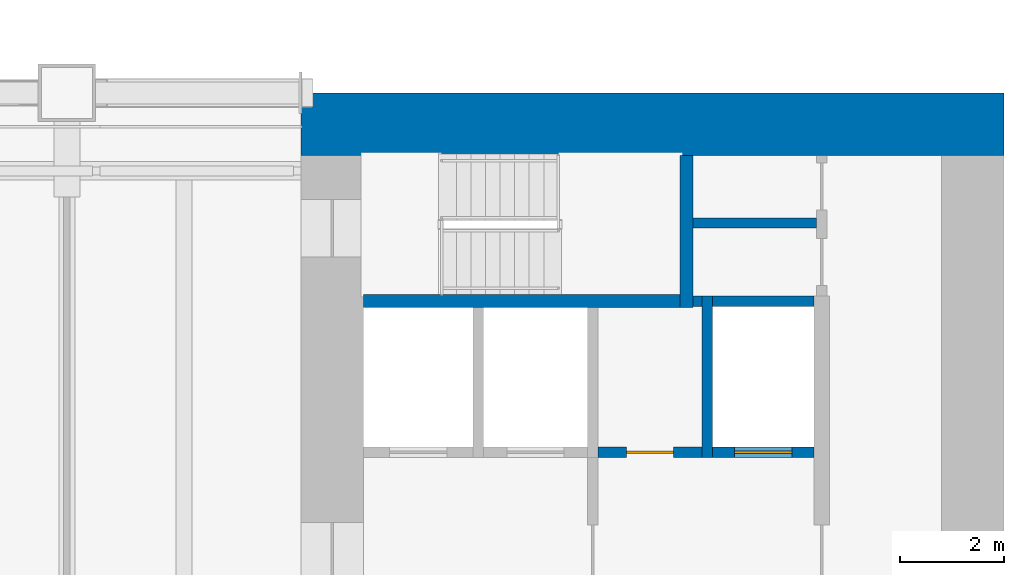
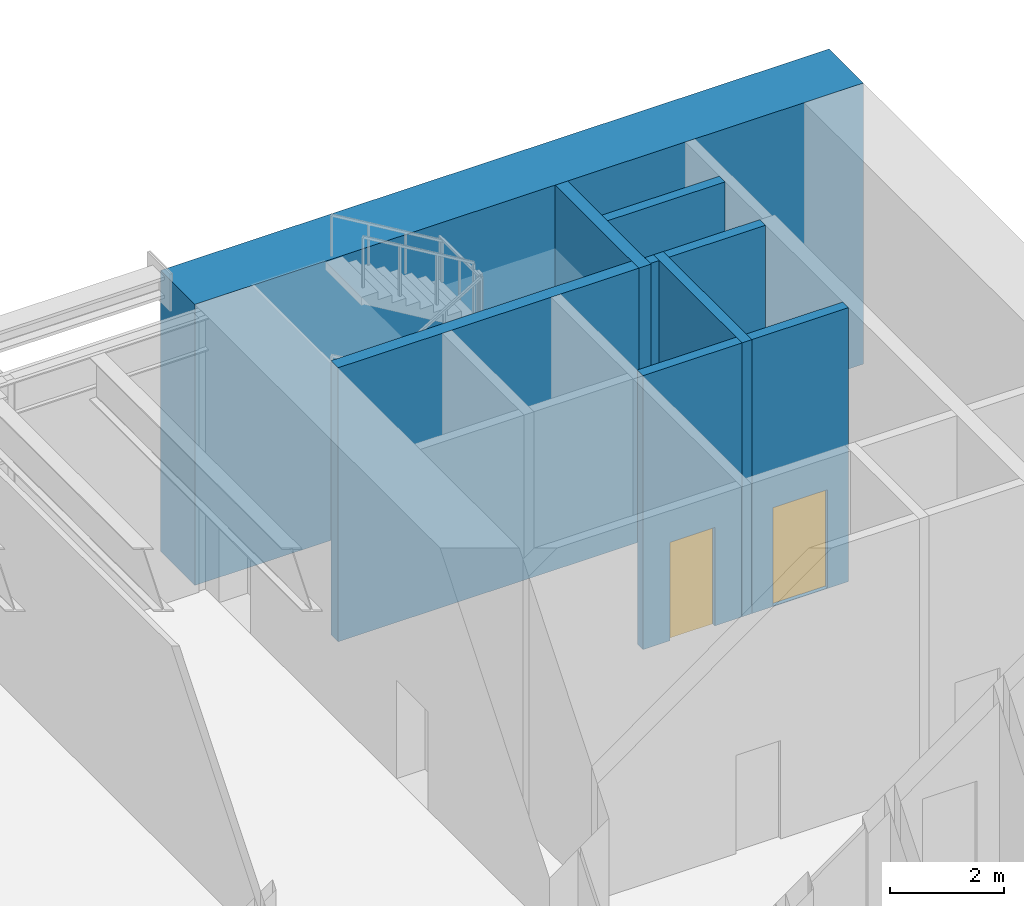
# One storey, part 9 of 19: 9 walls, 2 doors, 2 openings.
"""IFC4 building model written with IfcOpenShell, lengths in metres."""

from ifc_helpers import new_model, si_unit, direction, frame, frame_2d, origin, place, context, subcontext, project, spatial, rectangle, extrude, material, layer, layer_set, type_object, element, fill, save


model = new_model("IFC4")

# Units and contexts
model_context = context("Model", 3, precision=1e-05, world=origin(), true_north=direction((0.0, 1.0)))
body_context = subcontext(model_context, "Body", "Model", "MODEL_VIEW")
ifc_project = project(units=[si_unit("LENGTHUNIT", "METRE"), si_unit("AREAUNIT", "SQUARE_METRE"), si_unit("VOLUMEUNIT", "CUBIC_METRE"), si_unit("PLANEANGLEUNIT", "RADIAN"), si_unit("MASSUNIT", "GRAM", prefix="KILO")], contexts=[model_context])

# Site, building, storey
site_placement = place(None, origin())
site = spatial("IfcSite", under=ifc_project, at=site_placement, CompositionType="ELEMENT")
building_placement = place(site_placement, origin())
building = spatial("IfcBuilding", under=site, at=building_placement, Name="Sennacour Bend Tower", CompositionType="ELEMENT")
storey_placement = place(building_placement, frame((0.0, 0.0, 77.0)))
storey = spatial("IfcBuildingStorey", under=building, at=storey_placement, Name="L17", CompositionType="ELEMENT", Elevation=77.0)

# Wall
ifc_material_1 = material(Name="Concrete C80/95", Category="concrete")
ifc_layer_1 = layer(ifc_material_1, 1.199951171875, Name="Concrete C80/95", Category="concrete")
ifc_layer_set_1 = layer_set([ifc_layer_1], Name="Concrete C80/95")
wall_type_1 = type_object("IfcWallType", Name="Core wall 1200 C80/95", PredefinedType="SHEAR", material=ifc_layer_set_1)
wall_1_placement = place(storey_placement, frame((54.0, 21.89990234375, -0.14990234375), z_axis=(0.0, 0.0, 1.0), x_axis=(1.0, 0.0, 0.0)))
element("IfcWall", 1, at=wall_1_placement, inside=storey, type_object=wall_type_1, Name="Core A wall L17 N", PredefinedType="SHEAR", context=body_context, shape_type="SweptSolid", body=[
    extrude(rectangle(XDim=13.5, YDim=1.199951171875, at=frame_2d((6.75, 0.0))), origin(), (0.0, 0.0, 1.0), 6.0),
])

# Wall, opening, door
ifc_material_2 = material(Name="Fire-rated plasterboard partition on steel studs", Category="steel")
ifc_layer_2 = layer(ifc_material_2, 0.199951171875, Name="Fire-rated plasterboard partition on steel studs", Category="steel")
ifc_layer_set_2 = layer_set([ifc_layer_2], Name="Fire-rated plasterboard partition on steel studs")
wall_type_2 = type_object("IfcWallType", Name="Rated partition 200", PredefinedType="PARTITIONING", material=ifc_layer_set_2)
wall_2_placement = place(storey_placement, frame((59.699951171875, 15.60009765625, 0.0), z_axis=(0.0, 0.0, 1.0), x_axis=(1.0, 0.0, 0.0)))
wall_2 = element("IfcWall", 2, at=wall_2_placement, inside=storey, type_object=wall_type_2, Name="P-L17-W057", PredefinedType="PARTITIONING", context=body_context, shape_type="SweptSolid", body=[
    extrude(rectangle(XDim=2.0, YDim=0.199951171875, at=frame_2d((1.0, 0.0))), origin(), (0.0, 0.0, 1.0), 5.85009765625),
])
opening_1_placement = place(wall_2_placement, frame((0.550048828125, 0.0, 0.0)))
opening_1 = element("IfcOpeningElement", 3, at=opening_1_placement, cuts=wall_2, Name="Opening SV", PredefinedType="OPENING", context=body_context, shape_type="SweptSolid", body=[
    extrude(rectangle(XDim=0.89990234375, YDim=2.10009765625, at=frame_2d((0.449951171875, 1.050048828125))), frame((0.0, 0.10986328125, 0.0), z_axis=(0.0, -1.0, 0.0), x_axis=(1.0, 0.0, 0.0)), (0.0, 0.0, 1.0), 0.219970703125),
])
ifc_material_3 = material(Name="Painted steel", Category="steel")
door_type_1 = type_object("IfcDoorType", Name="DR-SERVICE-900", OperationType="NOTDEFINED", PredefinedType="DOOR", material=ifc_material_3)
door_1_placement = place(opening_1_placement, origin())
door_1 = element("IfcDoor", 4, at=door_1_placement, inside=storey, type_object=door_type_1, Name="Door", OperationType="SINGLE_SWING_RIGHT", OverallHeight=2.10009765625, OverallWidth=0.89990234375, PredefinedType="DOOR", context=body_context, shape_type="SweptSolid", body=[
    extrude(rectangle(XDim=0.89990234375, YDim=2.10009765625, at=frame_2d((0.449951171875, 1.050048828125))), frame((0.0, 0.02490234375, 0.0), z_axis=(0.0, -1.0, 0.0), x_axis=(1.0, 0.0, 0.0)), (0.0, 0.0, 1.0), 0.050048828125),
])
fill(opening_1, door_1)

# Walls
wall_3_placement = place(storey_placement, frame((61.52490234375, 18.5, 0.0), z_axis=(0.0, 0.0, 1.0), x_axis=(1.0, 0.0, 0.0)))
element("IfcWall", 5, at=wall_3_placement, inside=storey, type_object=wall_type_2, Name="P-L17-W061", PredefinedType="PARTITIONING", context=body_context, shape_type="SweptSolid", body=[
    extrude(rectangle(XDim=0.175048828125, YDim=0.199951171875, at=frame_2d((0.08740234375, 0.0))), origin(), (0.0, 0.0, 1.0), 5.85009765625),
])
wall_4_placement = place(storey_placement, frame((61.52490234375, 20.0, 0.0), z_axis=(0.0, 0.0, 1.0), x_axis=(1.0, 0.0, 0.0)))
element("IfcWall", 6, at=wall_4_placement, inside=storey, type_object=wall_type_2, Name="P-L17-W063", PredefinedType="PARTITIONING", context=body_context, shape_type="SweptSolid", body=[
    extrude(rectangle(XDim=2.375, YDim=0.199951171875, at=frame_2d((1.1875, 0.0))), origin(), (0.0, 0.0, 1.0), 5.85009765625),
])
ifc_material_4 = material(Name="Concrete C50/60", Category="concrete")
ifc_layer_3 = layer(ifc_material_4, 0.199951171875, Name="Concrete C50/60", Category="concrete")
ifc_layer_set_3 = layer_set([ifc_layer_3], Name="Concrete C50/60")
wall_type_3 = type_object("IfcWallType", Name="Shaft wall 200", PredefinedType="SOLIDWALL", material=ifc_layer_set_3)
wall_5_placement = place(storey_placement, frame((61.800048828125, 15.5, 0.0), z_axis=(0.0, 0.0, 1.0), x_axis=(0.0, 1.0, 0.0)))
element("IfcWall", 7, at=wall_5_placement, inside=storey, type_object=wall_type_3, Name="P-L17-W039", PredefinedType="SOLIDWALL", context=body_context, shape_type="SweptSolid", body=[
    extrude(rectangle(XDim=3.10009765625, YDim=0.199951171875, at=frame_2d((1.550048828125, 0.0))), origin(), (0.0, 0.0, 1.0), 5.85009765625),
])

# Wall, opening, door
wall_6_placement = place(storey_placement, frame((61.89990234375, 15.60009765625, 0.0), z_axis=(0.0, 0.0, 1.0), x_axis=(1.0, 0.0, 0.0)))
wall_6 = element("IfcWall", 8, at=wall_6_placement, inside=storey, type_object=wall_type_3, Name="P-L17-W058", PredefinedType="SOLIDWALL", context=body_context, shape_type="SweptSolid", body=[
    extrude(rectangle(XDim=1.9501953125, YDim=0.199951171875, at=frame_2d((0.97509765625, 0.0))), origin(), (0.0, 0.0, 1.0), 5.85009765625),
])
opening_2_placement = place(wall_6_placement, frame((0.425048828125, 0.0, 0.011962890625)))
opening_2 = element("IfcOpeningElement", 9, at=opening_2_placement, cuts=wall_6, Name="Opening LD", PredefinedType="OPENING", context=body_context, shape_type="SweptSolid", body=[
    extrude(rectangle(XDim=1.10009765625, YDim=2.10009765625, at=frame_2d((0.550048828125, 1.050048828125))), frame((0.0, 0.10986328125, 0.0), z_axis=(0.0, -1.0, 0.0), x_axis=(1.0, 0.0, 0.0)), (0.0, 0.0, 1.0), 0.219970703125),
])
ifc_material_5 = material(Name="Stainless steel", Category="steel")
door_type_2 = type_object("IfcDoorType", Name="DR-LANDING-1100", OperationType="NOTDEFINED", PredefinedType="DOOR", material=ifc_material_5)
door_2_placement = place(opening_2_placement, origin())
door_2 = element("IfcDoor", 10, at=door_2_placement, inside=storey, type_object=door_type_2, Name="Lift landing door LA5", OperationType="SLIDING_TO_LEFT", OverallHeight=2.10009765625, OverallWidth=1.10009765625, PredefinedType="DOOR", context=body_context, shape_type="SweptSolid", body=[
    extrude(rectangle(XDim=1.10009765625, YDim=2.10009765625, at=frame_2d((0.550048828125, 1.050048828125))), frame((0.0, 0.02490234375, 0.0), z_axis=(0.0, -1.0, 0.0), x_axis=(1.0, 0.0, 0.0)), (0.0, 0.0, 1.0), 0.050048828125),
])
fill(opening_2, door_2)

# Walls
wall_7_placement = place(storey_placement, frame((61.89990234375, 18.5, 0.0), z_axis=(0.0, 0.0, 1.0), x_axis=(1.0, 0.0, 0.0)))
element("IfcWall", 11, at=wall_7_placement, inside=storey, type_object=wall_type_3, Name="P-L17-W062", PredefinedType="SOLIDWALL", context=body_context, shape_type="SweptSolid", body=[
    extrude(rectangle(XDim=1.9501953125, YDim=0.199951171875, at=frame_2d((0.97509765625, 0.0))), origin(), (0.0, 0.0, 1.0), 5.85009765625),
])
ifc_material_6 = material(Name="Concrete C60/75", Category="concrete")
ifc_layer_4 = layer(ifc_material_6, 0.25, Name="Concrete C60/75", Category="concrete")
ifc_layer_set_4 = layer_set([ifc_layer_4], Name="Concrete C60/75")
wall_type_4 = type_object("IfcWallType", Name="Stair wall 250", PredefinedType="SHEAR", material=ifc_layer_set_4)
wall_8_placement = place(storey_placement, frame((61.39990234375, 18.375, 0.0), z_axis=(0.0, 0.0, 1.0), x_axis=(0.0, 1.0, 0.0)))
element("IfcWall", 12, at=wall_8_placement, inside=storey, type_object=wall_type_4, Name="P-L17-W036", PredefinedType="SHEAR", context=body_context, shape_type="SweptSolid", body=[
    extrude(rectangle(XDim=2.925048828125, YDim=0.25, at=frame_2d((1.46240234375, 0.0))), origin(), (0.0, 0.0, 1.0), 5.85009765625),
])
wall_9_placement = place(storey_placement, frame((55.199951171875, 18.5, 0.0), z_axis=(0.0, 0.0, 1.0), x_axis=(1.0, 0.0, 0.0)))
element("IfcWall", 13, at=wall_9_placement, inside=storey, type_object=wall_type_4, Name="P-L17-W060", PredefinedType="SHEAR", context=body_context, shape_type="SweptSolid", body=[
    extrude(rectangle(XDim=6.074951171875, YDim=0.25, at=frame_2d((3.03759765625, 0.0))), origin(), (0.0, 0.0, 1.0), 5.85009765625),
])

save(model, "model.ifc")
